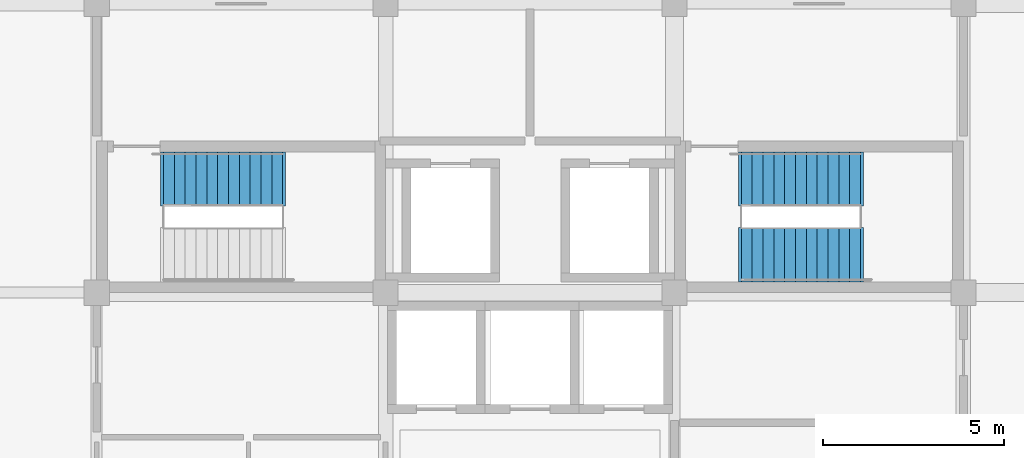
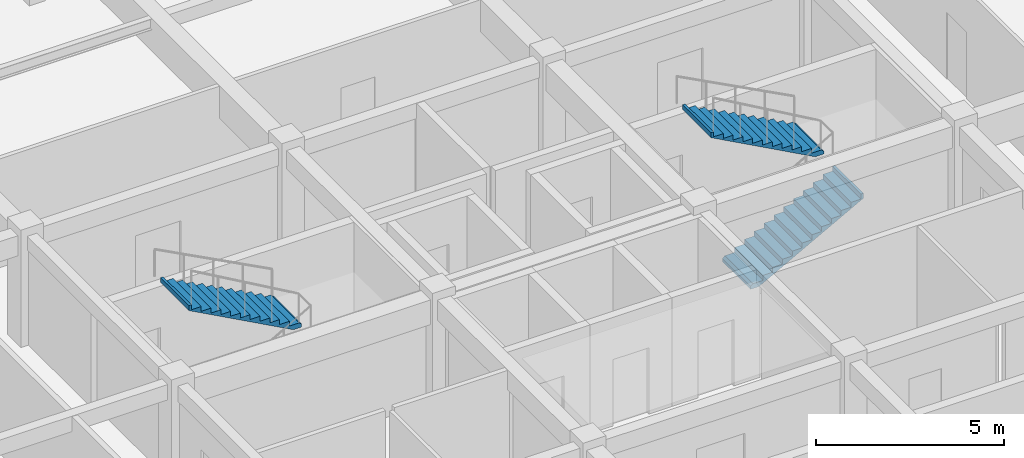
# One storey, part 12 of 13: 3 stair flights, 2 elements without a shape of their own.
"""IFC4 building model written with IfcOpenShell, lengths in metres."""

from ifc_helpers import new_model, si_unit, direction, frame, origin, place, context, subcontext, project, spatial, polyline, outline, extrude, material, type_object, element, aggregate, save


model = new_model("IFC4")

# Units and contexts
model_context = context("Model", 3, precision=1e-05, world=origin(), true_north=direction((0.0, 1.0)))
body_context = subcontext(model_context, "Body", "Model", "MODEL_VIEW")
ifc_project = project(units=[si_unit("LENGTHUNIT", "METRE"), si_unit("AREAUNIT", "SQUARE_METRE"), si_unit("VOLUMEUNIT", "CUBIC_METRE"), si_unit("PLANEANGLEUNIT", "RADIAN"), si_unit("MASSUNIT", "GRAM", prefix="KILO")], contexts=[model_context])

# Site, building, storey
site_placement = place(None, origin())
site = spatial("IfcSite", under=ifc_project, at=site_placement, CompositionType="ELEMENT")
building_placement = place(site_placement, origin())
building = spatial("IfcBuilding", under=site, at=building_placement, Name="Vellmiral Cinema and Media Centre", CompositionType="ELEMENT")
storey_placement = place(building_placement, frame((0.0, 0.0, 39.5)))
storey = spatial("IfcBuildingStorey", under=building, at=storey_placement, Name="L09", CompositionType="ELEMENT", Elevation=39.5)

# Stair, stair flight
ifc_material_1 = material(Name="Concrete C40/50", Category="concrete")
stair_type = type_object("IfcStairType", Name="ST-2RET-380", PredefinedType="HALF_TURN_STAIR", material=ifc_material_1)
stair_1_placement = place(storey_placement, origin())
stair_1 = element("IfcStair", 1, at=stair_1_placement, inside=storey, type_object=stair_type, Name="Protected Escape Stair ST-T1 (L09)", PredefinedType="HALF_TURN_STAIR")
ifc_material_2 = material(Name="Concrete C40/50", Category="concrete")
stair_flight_type = type_object("IfcStairFlightType", Name="STF-STR-380", PredefinedType="STRAIGHT", material=ifc_material_2)
stair_flight_1_placement = place(storey_placement, frame((129.14990234375, 90.35009765625, 1.89990234375), z_axis=(0.0, 0.0, 1.0), x_axis=(-1.0, 0.0, 0.0)))
stair_flight_1 = element("IfcStairFlight", 2, at=stair_flight_1_placement, type_object=stair_flight_type, Name="ST-T1 flight 2", NumberOfRisers=12, NumberOfTreads=11, PredefinedType="STRAIGHT", RiserHeight=0.158333333, TreadLength=0.3, context=body_context, shape_type="SweptSolid", body=[
    extrude(outline(polyline([(-0.080078125, 0.0), (-0.080078125, 0.094970703125), (0.0, 0.158447265625), (0.300048828125, 0.158447265625), (0.300048828125, 0.316650390625), (0.60009765625, 0.316650390625), (0.60009765625, 0.47509765625), (0.89990234375, 0.47509765625), (0.89990234375, 0.63330078125), (1.199951171875, 0.63330078125), (1.199951171875, 0.791748046875), (1.5, 0.791748046875), (1.5, 0.949951171875), (1.800048828125, 0.949951171875), (1.800048828125, 1.1083984375), (2.10009765625, 1.1083984375), (2.10009765625, 1.2666015625), (2.39990234375, 1.2666015625), (2.39990234375, 1.425048828125), (2.699951171875, 1.425048828125), (2.699951171875, 1.583251953125), (3.0, 1.583251953125), (3.0, 1.74169921875), (3.300048828125, 1.74169921875), (3.300048828125, 1.89990234375), (3.380126953125, 1.89990234375), (3.380126953125, 1.739990234375), (0.179931640625, 0.0), (-0.080078125, 0.0)])), frame((0.0, 0.75, 0.0), z_axis=(0.0, -1.0, 0.0), x_axis=(1.0, 0.0, 0.0)), (0.0, 0.0, 1.0), 1.5),
])
aggregate(stair_1, [stair_flight_1])

# Stair, stair flights
stair_2_placement = place(storey_placement, origin())
stair_2 = element("IfcStair", 3, at=stair_2_placement, inside=storey, type_object=stair_type, Name="Protected Escape Stair ST-T2 (L09)", PredefinedType="HALF_TURN_STAIR")
stair_flight_2_placement = place(storey_placement, frame((141.85009765625, 88.25, 0.0), z_axis=(0.0, 0.0, 1.0), x_axis=(1.0, 0.0, 0.0)))
stair_flight_2 = element("IfcStairFlight", 4, at=stair_flight_2_placement, type_object=stair_flight_type, Name="ST-T2 flight 1", NumberOfRisers=12, NumberOfTreads=11, PredefinedType="STRAIGHT", RiserHeight=0.158333333, TreadLength=0.3, context=body_context, shape_type="SweptSolid", body=[
    extrude(outline(polyline([(-0.080078125, 0.0), (-0.080078125, 0.094970703125), (0.0, 0.158447265625), (0.300048828125, 0.158447265625), (0.300048828125, 0.316650390625), (0.60009765625, 0.316650390625), (0.60009765625, 0.47509765625), (0.89990234375, 0.47509765625), (0.89990234375, 0.63330078125), (1.199951171875, 0.63330078125), (1.199951171875, 0.791748046875), (1.5, 0.791748046875), (1.5, 0.949951171875), (1.800048828125, 0.949951171875), (1.800048828125, 1.1083984375), (2.10009765625, 1.1083984375), (2.10009765625, 1.2666015625), (2.39990234375, 1.2666015625), (2.39990234375, 1.425048828125), (2.699951171875, 1.425048828125), (2.699951171875, 1.583251953125), (3.0, 1.583251953125), (3.0, 1.74169921875), (3.300048828125, 1.74169921875), (3.300048828125, 1.89990234375), (3.380126953125, 1.89990234375), (3.380126953125, 1.739990234375), (0.179931640625, 0.0), (-0.080078125, 0.0)])), frame((0.0, 0.75, 0.0), z_axis=(0.0, -1.0, 0.0), x_axis=(1.0, 0.0, 0.0)), (0.0, 0.0, 1.0), 1.5),
])
stair_flight_3_placement = place(storey_placement, frame((145.14990234375, 90.35009765625, 1.89990234375), z_axis=(0.0, 0.0, 1.0), x_axis=(-1.0, 0.0, 0.0)))
stair_flight_3 = element("IfcStairFlight", 5, at=stair_flight_3_placement, type_object=stair_flight_type, Name="ST-T2 flight 2", NumberOfRisers=12, NumberOfTreads=11, PredefinedType="STRAIGHT", RiserHeight=0.158333333, TreadLength=0.3, context=body_context, shape_type="SweptSolid", body=[
    extrude(outline(polyline([(-0.080078125, 0.0), (-0.080078125, 0.094970703125), (0.0, 0.158447265625), (0.300048828125, 0.158447265625), (0.300048828125, 0.316650390625), (0.60009765625, 0.316650390625), (0.60009765625, 0.47509765625), (0.89990234375, 0.47509765625), (0.89990234375, 0.63330078125), (1.199951171875, 0.63330078125), (1.199951171875, 0.791748046875), (1.5, 0.791748046875), (1.5, 0.949951171875), (1.800048828125, 0.949951171875), (1.800048828125, 1.1083984375), (2.10009765625, 1.1083984375), (2.10009765625, 1.2666015625), (2.39990234375, 1.2666015625), (2.39990234375, 1.425048828125), (2.699951171875, 1.425048828125), (2.699951171875, 1.583251953125), (3.0, 1.583251953125), (3.0, 1.74169921875), (3.300048828125, 1.74169921875), (3.300048828125, 1.89990234375), (3.380126953125, 1.89990234375), (3.380126953125, 1.739990234375), (0.179931640625, 0.0), (-0.080078125, 0.0)])), frame((0.0, 0.75, 0.0), z_axis=(0.0, -1.0, 0.0), x_axis=(1.0, 0.0, 0.0)), (0.0, 0.0, 1.0), 1.5),
])
aggregate(stair_2, [stair_flight_2, stair_flight_3])

save(model, "model.ifc")
